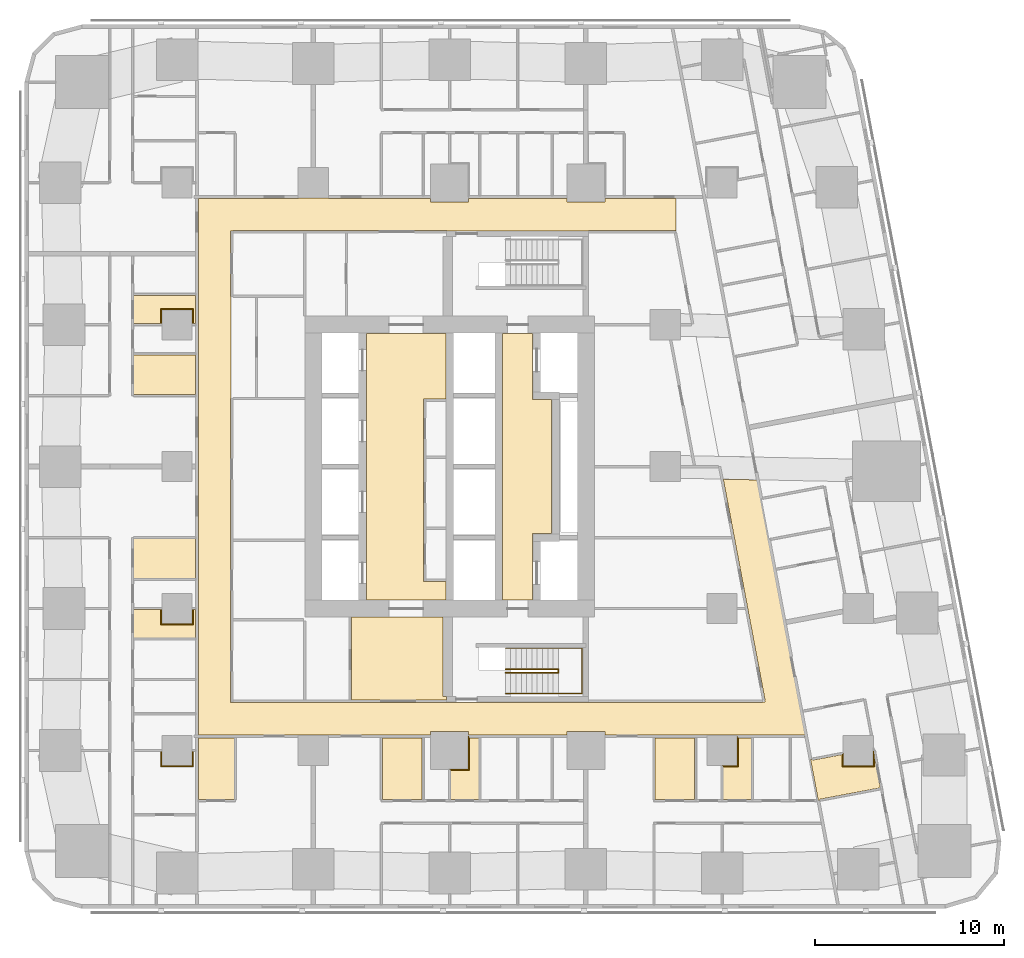
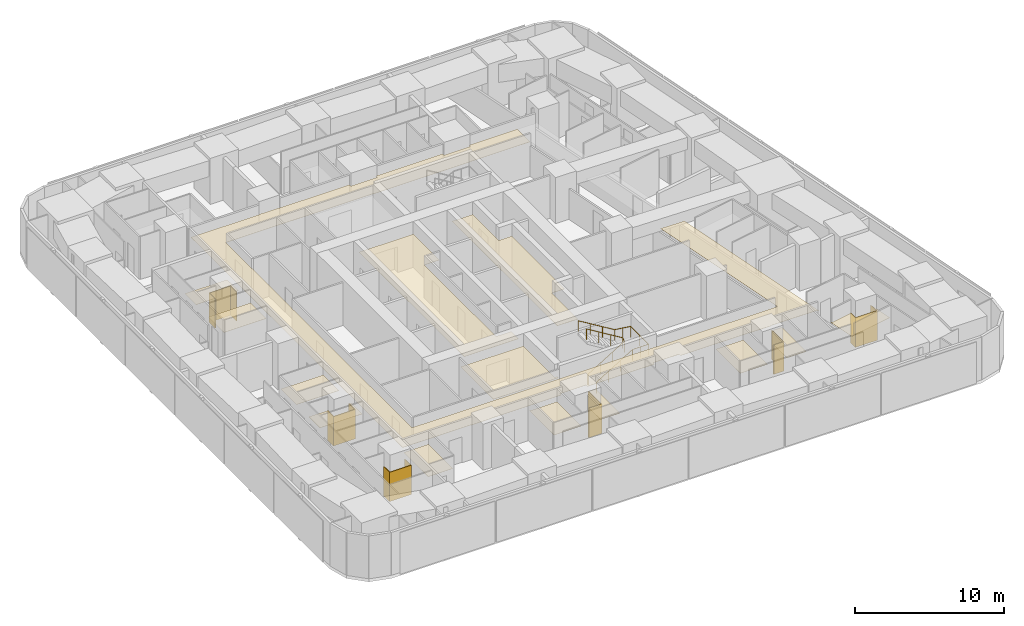
# One storey, part 13 of 15: 20 coverings, 2 railings.
"""IFC4 building model written with IfcOpenShell, lengths in metres."""

from ifc_helpers import new_model, si_unit, direction, frame, origin, origin_2d, place, context, subcontext, project, spatial, polyline, circle, outline, extrude, material, layer, layer_set, type_object, element, save


model = new_model("IFC4")

# Units and contexts
model_context = context("Model", 3, precision=1e-05, world=origin(), true_north=direction((0.0, 1.0)))
body_context = subcontext(model_context, "Body", "Model", "MODEL_VIEW")
ifc_project = project(units=[si_unit("LENGTHUNIT", "METRE"), si_unit("AREAUNIT", "SQUARE_METRE"), si_unit("VOLUMEUNIT", "CUBIC_METRE"), si_unit("PLANEANGLEUNIT", "RADIAN"), si_unit("MASSUNIT", "GRAM", prefix="KILO")], contexts=[model_context])

# Site, building, storey
site_placement = place(None, origin())
site = spatial("IfcSite", under=ifc_project, at=site_placement, CompositionType="ELEMENT")
building_placement = place(site_placement, origin())
building = spatial("IfcBuilding", under=site, at=building_placement, Name="Sheger Commons Tower", CompositionType="ELEMENT")
storey_placement = place(building_placement, frame((0.0, 0.0, 77.89990234375)))
storey = spatial("IfcBuildingStorey", under=building, at=storey_placement, Name="L19", CompositionType="ELEMENT", Elevation=77.89990234375)

# Railings
ifc_material_1 = material(Name="Steel handrail, black powder-coated", Category="steel")
railing_type = type_object("IfcRailingType", Name="HANDRAIL 900", PredefinedType="HANDRAIL", material=ifc_material_1)
railing_1_placement = place(storey_placement, frame((24.550048828125, 11.60009765625, 0.170654296875)))
element("IfcRailing", 1, at=railing_1_placement, inside=storey, type_object=railing_type, Name="Stair S1 handrail L19", PredefinedType="HANDRAIL", context=body_context, shape_type="SweptSolid", body=[
    extrude(circle(Radius=0.02392578125, at=origin_2d()), frame((0.0, 0.0, 0.8759765625), z_axis=(0.854202870247, 0.0, 0.519939858505), x_axis=(0.0, 1.0, 0.0)), (0.0, 0.0, 1.0), 3.278076171875),
    extrude(circle(Radius=0.02392578125, at=origin_2d()), frame((2.800048828125, 0.0, 2.580078125), z_axis=(0.0, 0.760631612298, 0.649183757016), x_axis=(-1.0, 0.0, 0.0)), (0.0, 0.0, 1.0), 0.262939453125),
    extrude(circle(Radius=0.02392578125, at=origin_2d()), frame((2.800048828125, 0.199951171875, 2.7509765625), z_axis=(-0.854202870247, 0.0, 0.519939858505), x_axis=(0.0, -1.0, 0.0)), (0.0, 0.0, 1.0), 3.278076171875),
    extrude(circle(Radius=0.02099609375, at=origin_2d()), origin(), (0.0, 0.0, 1.0), 0.851806640625),
    extrude(circle(Radius=0.02099609375, at=origin_2d()), frame((0.933349609375, 0.0, 0.568115234375)), (0.0, 0.0, 1.0), 0.851806640625),
    extrude(circle(Radius=0.02099609375, at=origin_2d()), frame((1.86669921875, 0.0, 1.13623046875)), (0.0, 0.0, 1.0), 0.851806640625),
    extrude(circle(Radius=0.02099609375, at=origin_2d()), frame((2.800048828125, 0.0, 1.704345703125)), (0.0, 0.0, 1.0), 0.851806640625),
    extrude(circle(Radius=0.02099609375, at=origin_2d()), frame((2.800048828125, 0.199951171875, 1.875)), (0.0, 0.0, 1.0), 0.851806640625),
    extrude(circle(Radius=0.02099609375, at=origin_2d()), frame((1.86669921875, 0.199951171875, 2.443115234375)), (0.0, 0.0, 1.0), 0.851806640625),
    extrude(circle(Radius=0.02099609375, at=origin_2d()), frame((0.933349609375, 0.199951171875, 3.01123046875)), (0.0, 0.0, 1.0), 0.851806640625),
    extrude(circle(Radius=0.02099609375, at=origin_2d()), frame((0.0, 0.199951171875, 3.579345703125)), (0.0, 0.0, 1.0), 0.851806640625),
])
railing_2_placement = place(storey_placement, frame((24.550048828125, 10.5, 0.170654296875)))
element("IfcRailing", 2, at=railing_2_placement, inside=storey, type_object=railing_type, Name="Stair S1 handrail L19", PredefinedType="HANDRAIL", context=body_context, shape_type="SweptSolid", body=[
    extrude(circle(Radius=0.02392578125, at=origin_2d()), frame((0.0, 0.0, 0.8759765625), z_axis=(0.854202870247, 0.0, 0.519939858505), x_axis=(0.0, 1.0, 0.0)), (0.0, 0.0, 1.0), 3.278076171875),
    extrude(circle(Radius=0.02392578125, at=origin_2d()), frame((2.800048828125, 0.0, 2.580078125), z_axis=(1.0, 0.0, 0.0), x_axis=(0.0, 1.0, 0.0)), (0.0, 0.0, 1.0), 1.25),
    extrude(circle(Radius=0.02392578125, at=origin_2d()), frame((4.050048828125, 0.0, 2.580078125), z_axis=(0.0, 1.0, 0.0), x_axis=(-1.0, 0.0, 0.0)), (0.0, 0.0, 1.0), 2.39990234375),
    extrude(circle(Radius=0.02392578125, at=origin_2d()), frame((4.050048828125, 2.39990234375, 2.580078125), z_axis=(-0.990808959222, 0.0, 0.135268645019), x_axis=(0.0, -1.0, 0.0)), (0.0, 0.0, 1.0), 1.261474609375),
    extrude(circle(Radius=0.02392578125, at=origin_2d()), frame((2.800048828125, 2.39990234375, 2.7509765625), z_axis=(-0.854202870247, 0.0, 0.519939858505), x_axis=(0.0, -1.0, 0.0)), (0.0, 0.0, 1.0), 3.278076171875),
    extrude(circle(Radius=0.02099609375, at=origin_2d()), origin(), (0.0, 0.0, 1.0), 0.851806640625),
    extrude(circle(Radius=0.02099609375, at=origin_2d()), frame((0.933349609375, 0.0, 0.568115234375)), (0.0, 0.0, 1.0), 0.851806640625),
    extrude(circle(Radius=0.02099609375, at=origin_2d()), frame((1.86669921875, 0.0, 1.13623046875)), (0.0, 0.0, 1.0), 0.851806640625),
    extrude(circle(Radius=0.02099609375, at=origin_2d()), frame((2.800048828125, 0.0, 1.704345703125)), (0.0, 0.0, 1.0), 0.851806640625),
    extrude(circle(Radius=0.02099609375, at=origin_2d()), frame((3.425048828125, 0.0, 1.704345703125)), (0.0, 0.0, 1.0), 0.851806640625),
    extrude(circle(Radius=0.02099609375, at=origin_2d()), frame((4.050048828125, 0.0, 1.704345703125)), (0.0, 0.0, 1.0), 0.851806640625),
    extrude(circle(Radius=0.02099609375, at=origin_2d()), frame((4.050048828125, 1.199951171875, 1.704345703125)), (0.0, 0.0, 1.0), 0.851806640625),
    extrude(circle(Radius=0.02099609375, at=origin_2d()), frame((4.050048828125, 2.39990234375, 1.704345703125)), (0.0, 0.0, 1.0), 0.851806640625),
    extrude(circle(Radius=0.02099609375, at=origin_2d()), frame((3.425048828125, 2.39990234375, 1.78955078125)), (0.0, 0.0, 1.0), 0.851806640625),
    extrude(circle(Radius=0.02099609375, at=origin_2d()), frame((2.800048828125, 2.39990234375, 1.875)), (0.0, 0.0, 1.0), 0.851806640625),
    extrude(circle(Radius=0.02099609375, at=origin_2d()), frame((1.86669921875, 2.39990234375, 2.443115234375)), (0.0, 0.0, 1.0), 0.851806640625),
    extrude(circle(Radius=0.02099609375, at=origin_2d()), frame((0.933349609375, 2.39990234375, 3.01123046875)), (0.0, 0.0, 1.0), 0.851806640625),
    extrude(circle(Radius=0.02099609375, at=origin_2d()), frame((0.0, 2.39990234375, 3.579345703125)), (0.0, 0.0, 1.0), 0.851806640625),
])

# Coverings
ifc_material_2 = material(Name="Moisture-resistant gypsum plasterboard 15 mm on a suspended galvanised steel grid", Category="steel")
ifc_layer_1 = layer(ifc_material_2, 0.014892578125)
ifc_layer_set_1 = layer_set([ifc_layer_1], Name="MOISTURE-RESISTANT CEILING 15")
covering_type_1 = type_object("IfcCoveringType", Name="MOISTURE-RESISTANT CEILING 15", PredefinedType="CEILING", material=ifc_layer_set_1)
covering_1_placement = place(storey_placement, frame((0.0, 0.0, 2.400146484375)))
element("IfcCovering", 3, at=covering_1_placement, inside=storey, type_object=covering_type_1, Name="L19-01.B1 ceiling", PredefinedType="CEILING", context=body_context, shape_type="SweptSolid", body=[
    extrude(outline(polyline([(4.905029296875, 16.594970703125), (8.169921875, 16.594970703125), (8.169921875, 18.695068359375), (4.905029296875, 18.695068359375), (4.905029296875, 16.594970703125)])), origin(), (0.0, 0.0, 1.0), 0.014892578125),
])
covering_2_placement = place(storey_placement, frame((0.0, 0.0, 2.400146484375)))
element("IfcCovering", 4, at=covering_2_placement, inside=storey, type_object=covering_type_1, Name="L19-01.B2 ceiling", PredefinedType="CEILING", context=body_context, shape_type="SweptSolid", body=[
    extrude(outline(polyline([(4.905029296875, 13.455078125), (8.169921875, 13.455078125), (8.169921875, 14.945068359375), (8.0048828125, 14.945068359375), (8.0048828125, 14.195068359375), (6.39501953125, 14.195068359375), (6.39501953125, 14.945068359375), (4.905029296875, 14.945068359375), (4.905029296875, 13.455078125)])), origin(), (0.0, 0.0, 1.0), 0.014892578125),
])
covering_3_placement = place(storey_placement, frame((0.0, 0.0, 2.400146484375)))
element("IfcCovering", 5, at=covering_3_placement, inside=storey, type_object=covering_type_1, Name="L19-02.B1 ceiling", PredefinedType="CEILING", context=body_context, shape_type="SweptSolid", body=[
    extrude(outline(polyline([(4.905029296875, 26.304931640625), (8.169921875, 26.304931640625), (8.169921875, 28.405029296875), (4.905029296875, 28.405029296875), (4.905029296875, 26.304931640625)])), origin(), (0.0, 0.0, 1.0), 0.014892578125),
])
covering_4_placement = place(storey_placement, frame((0.0, 0.0, 2.400146484375)))
element("IfcCovering", 6, at=covering_4_placement, inside=storey, type_object=covering_type_1, Name="L19-02.B2 ceiling", PredefinedType="CEILING", context=body_context, shape_type="SweptSolid", body=[
    extrude(outline(polyline([(4.905029296875, 30.054931640625), (6.39501953125, 30.054931640625), (6.39501953125, 30.804931640625), (8.0048828125, 30.804931640625), (8.0048828125, 30.054931640625), (8.169921875, 30.054931640625), (8.169921875, 31.544921875), (4.905029296875, 31.544921875), (4.905029296875, 30.054931640625)])), origin(), (0.0, 0.0, 1.0), 0.014892578125),
])
covering_5_placement = place(storey_placement, frame((0.0, 0.0, 2.400146484375)))
element("IfcCovering", 7, at=covering_5_placement, inside=storey, type_object=covering_type_1, Name="L19-04.B1 ceiling", PredefinedType="CEILING", context=body_context, shape_type="SweptSolid", body=[
    extrude(outline(polyline([(8.330078125, 4.905029296875), (10.22412109375, 4.905029296875), (10.22412109375, 8.169921875), (8.330078125, 8.169921875), (8.330078125, 4.905029296875)])), origin(), (0.0, 0.0, 1.0), 0.014892578125),
])
covering_6_placement = place(storey_placement, frame((0.0, 0.0, 2.400146484375)))
element("IfcCovering", 8, at=covering_6_placement, inside=storey, type_object=covering_type_1, Name="L19-05.B1 ceiling", PredefinedType="CEILING", context=body_context, shape_type="SweptSolid", body=[
    extrude(outline(polyline([(18.054931640625, 4.905029296875), (20.155029296875, 4.905029296875), (20.155029296875, 8.169921875), (18.054931640625, 8.169921875), (18.054931640625, 4.905029296875)])), origin(), (0.0, 0.0, 1.0), 0.014892578125),
])
covering_7_placement = place(storey_placement, frame((0.0, 0.0, 2.400146484375)))
element("IfcCovering", 9, at=covering_7_placement, inside=storey, type_object=covering_type_1, Name="L19-05.B2 ceiling", PredefinedType="CEILING", context=body_context, shape_type="SweptSolid", body=[
    extrude(outline(polyline([(21.655029296875, 4.905029296875), (23.14501953125, 4.905029296875), (23.14501953125, 8.169921875), (22.60498046875, 8.169921875), (22.60498046875, 6.4951171875), (21.655029296875, 6.4951171875), (21.655029296875, 4.905029296875)])), origin(), (0.0, 0.0, 1.0), 0.014892578125),
])
covering_8_placement = place(storey_placement, frame((0.0, 0.0, 2.400146484375)))
element("IfcCovering", 10, at=covering_8_placement, inside=storey, type_object=covering_type_1, Name="L19-06.B1 ceiling", PredefinedType="CEILING", context=body_context, shape_type="SweptSolid", body=[
    extrude(outline(polyline([(32.455078125, 4.905029296875), (34.554931640625, 4.905029296875), (34.554931640625, 8.169921875), (32.455078125, 8.169921875), (32.455078125, 4.905029296875)])), origin(), (0.0, 0.0, 1.0), 0.014892578125),
])
covering_9_placement = place(storey_placement, frame((0.0, 0.0, 2.400146484375)))
element("IfcCovering", 11, at=covering_9_placement, inside=storey, type_object=covering_type_1, Name="L19-06.B2 ceiling", PredefinedType="CEILING", context=body_context, shape_type="SweptSolid", body=[
    extrude(outline(polyline([(36.054931640625, 4.905029296875), (37.544921875, 4.905029296875), (37.544921875, 8.169921875), (36.804931640625, 8.169921875), (36.804931640625, 6.695068359375), (36.054931640625, 6.695068359375), (36.054931640625, 4.905029296875)])), origin(), (0.0, 0.0, 1.0), 0.014892578125),
])
covering_10_placement = place(storey_placement, frame((0.0, 0.0, 2.400146484375)))
element("IfcCovering", 12, at=covering_10_placement, inside=storey, type_object=covering_type_1, Name="L19-09.B1 ceiling", PredefinedType="CEILING", context=body_context, shape_type="SweptSolid", body=[
    extrude(outline(polyline([(41.087890625, 4.85205078125), (41.156005859375, 4.864990234375), (41.14599609375, 4.9189453125), (44.364013671875, 5.527099609375), (44.007080078125, 7.4150390625), (44.0048828125, 7.4150390625), (44.0048828125, 6.695068359375), (42.39501953125, 6.695068359375), (42.39501953125, 7.29296875), (40.756103515625, 6.98291015625), (40.74609375, 7.037109375), (40.677001953125, 7.02392578125), (41.087890625, 4.85205078125)])), origin(), (0.0, 0.0, 1.0), 0.014892578125),
])
ifc_material_3 = material(Name="Gypsum plasterboard 15 mm on a suspended steel grid", Category="steel")
ifc_layer_2 = layer(ifc_material_3, 0.014892578125)
ifc_layer_set_2 = layer_set([ifc_layer_2], Name="SUSPENDED CEILING 15")
covering_type_2 = type_object("IfcCoveringType", Name="SUSPENDED CEILING 15", PredefinedType="CEILING", material=ifc_layer_set_2)
covering_11_placement = place(storey_placement, frame((0.0, 0.0, 2.7001953125)))
element("IfcCovering", 13, at=covering_11_placement, inside=storey, type_object=covering_type_2, Name="L19-CO ceiling", PredefinedType="CEILING", context=body_context, shape_type="SweptSolid", body=[
    extrude(outline(polyline([(40.361083984375, 8.25), (40.446044921875, 8.25), (37.886962890625, 21.7958984375), (36.06591796875, 21.8330078125), (38.26904296875, 10.1708984375), (38.251953125, 10.1669921875), (38.27392578125, 10.050048828125), (38.14306640625, 10.050048828125), (38.14306640625, 10.031982421875), (28.945068359375, 10.031982421875), (28.945068359375, 10.044921875), (21.455078125, 10.044921875), (21.455078125, 10.031982421875), (10.157958984375, 10.031982421875), (10.157958984375, 10.044921875), (10.031982421875, 10.044921875), (10.031982421875, 26.10498046875), (10.050048828125, 26.10498046875), (10.050048828125, 31.4951171875), (10.031982421875, 31.4951171875), (10.031982421875, 34.955078125), (10.157958984375, 34.955078125), (10.157958984375, 34.968017578125), (21.455078125, 34.968017578125), (21.455078125, 34.949951171875), (28.945068359375, 34.949951171875), (28.945068359375, 34.968017578125), (33.54296875, 34.968017578125), (33.54296875, 34.949951171875), (33.568115234375, 34.949951171875), (33.568115234375, 36.669921875), (29.804931640625, 36.669921875), (29.804931640625, 36.4951171875), (27.794921875, 36.4951171875), (27.794921875, 36.669921875), (22.60498046875, 36.669921875), (22.60498046875, 36.4951171875), (20.594970703125, 36.4951171875), (20.594970703125, 36.669921875), (15.196044921875, 36.669921875), (15.196044921875, 36.695068359375), (13.60400390625, 36.695068359375), (13.60400390625, 36.669921875), (8.330078125, 36.669921875), (8.330078125, 8.330078125), (13.60400390625, 8.330078125), (13.60400390625, 8.304931640625), (15.196044921875, 8.304931640625), (15.196044921875, 8.330078125), (20.594970703125, 8.330078125), (20.594970703125, 8.5048828125), (22.60498046875, 8.5048828125), (22.60498046875, 8.330078125), (27.794921875, 8.330078125), (27.794921875, 8.5048828125), (29.804931640625, 8.5048828125), (29.804931640625, 8.330078125), (35.2041015625, 8.330078125), (35.2041015625, 8.304931640625), (36.7958984375, 8.304931640625), (36.7958984375, 8.330078125), (40.361083984375, 8.330078125), (40.361083984375, 8.25)])), origin(), (0.0, 0.0, 1.0), 0.014892578125),
])
covering_12_placement = place(storey_placement, frame((0.0, 0.0, 2.7001953125)))
element("IfcCovering", 14, at=covering_12_placement, inside=storey, type_object=covering_type_2, Name="L19-SVS1 ceiling", PredefinedType="CEILING", context=body_context, shape_type="SweptSolid", body=[
    extrude(outline(polyline([(16.406982421875, 10.16796875), (21.445068359375, 10.16796875), (21.445068359375, 10.344970703125), (21.2451171875, 10.344970703125), (21.2451171875, 14.544921875), (16.406982421875, 14.544921875), (16.406982421875, 10.16796875)])), origin(), (0.0, 0.0, 1.0), 0.014892578125),
])
covering_13_placement = place(storey_placement, frame((0.0, 0.0, 2.7001953125)))
element("IfcCovering", 15, at=covering_13_placement, inside=storey, type_object=covering_type_2, Name="L19-LL ceiling", PredefinedType="CEILING", context=body_context, shape_type="SweptSolid", body=[
    extrude(outline(polyline([(17.205078125, 15.455078125), (21.39990234375, 15.455078125), (21.39990234375, 16.43310546875), (20.35791015625, 16.43310546875), (20.23291015625, 16.43310546875), (20.23291015625, 26.06689453125), (20.35791015625, 26.06689453125), (21.39990234375, 26.06689453125), (21.39990234375, 29.544921875), (17.205078125, 29.544921875), (17.205078125, 15.455078125)])), origin(), (0.0, 0.0, 1.0), 0.014892578125),
])
covering_14_placement = place(storey_placement, frame((0.0, 0.0, 2.7001953125)))
element("IfcCovering", 16, at=covering_14_placement, inside=storey, type_object=covering_type_2, Name="L19-FL ceiling", PredefinedType="CEILING", context=body_context, shape_type="SweptSolid", body=[
    extrude(outline(polyline([(24.405029296875, 15.455078125), (25.9951171875, 15.455078125), (25.9951171875, 18.955078125), (26.9951171875, 18.955078125), (26.9951171875, 26.044921875), (25.9951171875, 26.044921875), (25.9951171875, 29.544921875), (24.405029296875, 29.544921875), (24.405029296875, 15.455078125)])), origin(), (0.0, 0.0, 1.0), 0.014892578125),
])
ifc_material_4 = material(Name="Moisture-resistant gypsum board 12.5 mm on 25 mm treated timber battens, tanked and tiled", Category="wood")
ifc_layer_3 = layer(ifc_material_4, 0.050048828125)
ifc_layer_set_3 = layer_set([ifc_layer_3], Name="WET-ROOM COLUMN LINING")
covering_type_3 = type_object("IfcCoveringType", Name="WET-ROOM COLUMN LINING", PredefinedType="CLADDING", material=ifc_layer_set_3)
covering_15_placement = place(storey_placement, origin())
element("IfcCovering", 17, at=covering_15_placement, inside=storey, type_object=covering_type_3, Name="Store and laundry column lining C9 L19", PredefinedType="CLADDING", context=body_context, shape_type="SweptSolid", body=[
    extrude(outline(polyline([(6.39990234375, 7.5), (6.39990234375, 6.699951171875), (8.0, 6.699951171875), (8.0, 7.5), (8.0009765625, 7.5), (8.0009765625, 7.449951171875), (8.050048828125, 7.449951171875), (8.050048828125, 6.64990234375), (6.35009765625, 6.64990234375), (6.35009765625, 7.449951171875), (6.39892578125, 7.449951171875), (6.39892578125, 7.5), (6.39990234375, 7.5)])), origin(), (0.0, 0.0, 1.0), 2.400146484375),
])
covering_16_placement = place(storey_placement, origin())
element("IfcCovering", 18, at=covering_16_placement, inside=storey, type_object=covering_type_3, Name="Shower room column lining C7 L19", PredefinedType="CLADDING", context=body_context, shape_type="SweptSolid", body=[
    extrude(outline(polyline([(21.64990234375, 6.449951171875), (21.64990234375, 6.4990234375), (21.60009765625, 6.4990234375), (21.60009765625, 6.5), (22.60009765625, 6.5), (22.60009765625, 8.25), (22.60107421875, 8.25), (22.60107421875, 8.175048828125), (22.64990234375, 8.175048828125), (22.64990234375, 6.449951171875), (21.64990234375, 6.449951171875)])), origin(), (0.0, 0.0, 1.0), 2.400146484375),
])
covering_17_placement = place(storey_placement, origin())
element("IfcCovering", 19, at=covering_17_placement, inside=storey, type_object=covering_type_3, Name="Shower room column lining C9 L19", PredefinedType="CLADDING", context=body_context, shape_type="SweptSolid", body=[
    extrude(outline(polyline([(36.050048828125, 6.64990234375), (36.050048828125, 6.698974609375), (36.0, 6.698974609375), (36.0, 6.699951171875), (36.800048828125, 6.699951171875), (36.800048828125, 8.25), (36.801025390625, 8.25), (36.801025390625, 8.175048828125), (36.85009765625, 8.175048828125), (36.85009765625, 6.64990234375), (36.050048828125, 6.64990234375)])), origin(), (0.0, 0.0, 1.0), 2.400146484375),
])
covering_18_placement = place(storey_placement, origin())
element("IfcCovering", 20, at=covering_18_placement, inside=storey, type_object=covering_type_3, Name="Bathroom column lining C9 L19", PredefinedType="CLADDING", context=body_context, shape_type="SweptSolid", body=[
    extrude(outline(polyline([(42.39990234375, 7.34912109375), (42.39990234375, 6.699951171875), (44.0, 6.699951171875), (44.0, 7.47998046875), (44.050048828125, 7.215087890625), (44.050048828125, 6.64990234375), (42.35009765625, 6.64990234375), (42.35009765625, 7.2900390625), (42.39892578125, 7.299072265625), (42.389892578125, 7.346923828125), (42.39990234375, 7.34912109375)])), origin(), (0.0, 0.0, 1.0), 2.400146484375),
])
covering_19_placement = place(storey_placement, origin())
element("IfcCovering", 21, at=covering_19_placement, inside=storey, type_object=covering_type_3, Name="Shower room column lining C9 L19", PredefinedType="CLADDING", context=body_context, shape_type="SweptSolid", body=[
    extrude(outline(polyline([(6.39990234375, 15.0), (6.39990234375, 14.199951171875), (8.0, 14.199951171875), (8.0, 15.0), (8.0009765625, 15.0), (8.0009765625, 14.949951171875), (8.050048828125, 14.949951171875), (8.050048828125, 14.14990234375), (6.35009765625, 14.14990234375), (6.35009765625, 14.949951171875), (6.39892578125, 14.949951171875), (6.39892578125, 15.0), (6.39990234375, 15.0)])), origin(), (0.0, 0.0, 1.0), 2.400146484375),
])
covering_20_placement = place(storey_placement, origin())
element("IfcCovering", 22, at=covering_20_placement, inside=storey, type_object=covering_type_3, Name="Shower room column lining C9 L19", PredefinedType="CLADDING", context=body_context, shape_type="SweptSolid", body=[
    extrude(outline(polyline([(8.050048828125, 30.85009765625), (8.050048828125, 30.050048828125), (8.0009765625, 30.050048828125), (8.0009765625, 30.0), (8.0, 30.0), (8.0, 30.800048828125), (6.39990234375, 30.800048828125), (6.39990234375, 30.0), (6.39892578125, 30.0), (6.39892578125, 30.050048828125), (6.35009765625, 30.050048828125), (6.35009765625, 30.85009765625), (8.050048828125, 30.85009765625)])), origin(), (0.0, 0.0, 1.0), 2.400146484375),
])

save(model, "model.ifc")
